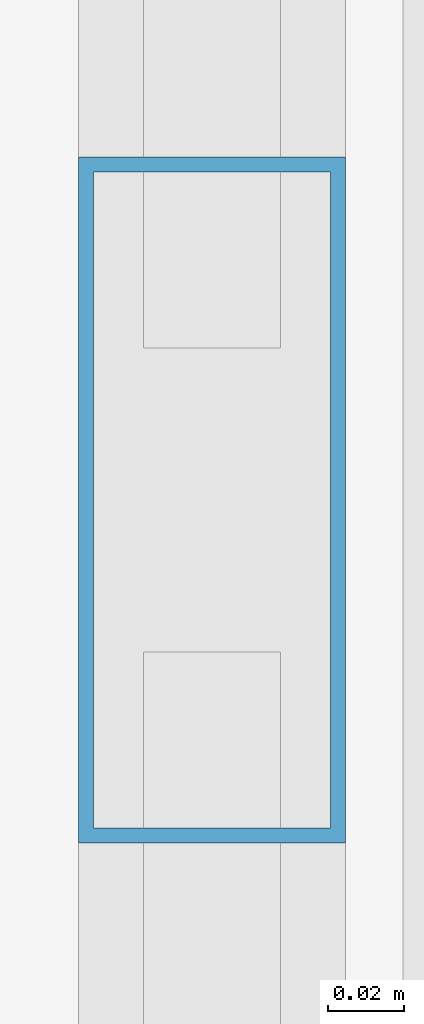
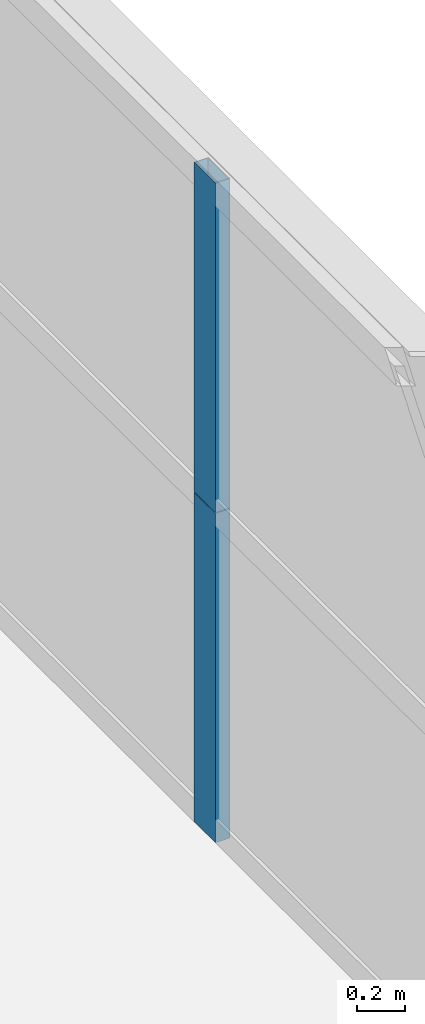
# One storey, part 20 of 45: 2 members, 1 element without a shape of its own.
"""IFC4 building model written with IfcOpenShell, lengths in metres."""

from ifc_helpers import new_model, si_unit, direction, frame, origin, origin_2d, place, context, subcontext, project, spatial, hollow_rectangle, extrude, source, transform, mapped, material, layer, layer_set, material_profile, profile_set, type_object, element, aggregate, save


model = new_model("IFC4")

# Units and contexts
model_context = context("Model", 3, precision=1e-05, world=origin(), true_north=direction((0.0, 1.0)))
body_context = subcontext(model_context, "Body", "Model", "MODEL_VIEW")
ifc_project = project(units=[si_unit("LENGTHUNIT", "METRE"), si_unit("AREAUNIT", "SQUARE_METRE"), si_unit("VOLUMEUNIT", "CUBIC_METRE"), si_unit("PLANEANGLEUNIT", "RADIAN"), si_unit("MASSUNIT", "GRAM", prefix="KILO"), si_unit("THERMODYNAMICTEMPERATUREUNIT", "KELVIN"), si_unit("POWERUNIT", "WATT")], contexts=[model_context])

# Site, building, storey
site_placement = place(None, origin())
site = spatial("IfcSite", under=ifc_project, at=site_placement, CompositionType="ELEMENT")
building_placement = place(site_placement, origin())
building = spatial("IfcBuilding", under=site, at=building_placement, Name="Yuzanri Waterfront Tower", CompositionType="ELEMENT")
storey_placement = place(building_placement, frame((0.0, 0.0, 34.199951171875)))
storey = spatial("IfcBuildingStorey", under=building, at=storey_placement, Name="L08", CompositionType="ELEMENT", Elevation=34.199951171875)

# Curtain wall, members
ifc_material_1 = material(Name="Anodized Architectural Bronze", Category="metal")
ifc_layer = layer(ifc_material_1, 0.159912109375)
ifc_layer_set = layer_set([ifc_layer], Name="Anodized Architectural Bronze")
curtain_wall_type = type_object("IfcCurtainWallType", Name="Anodized Bronze Hotel Lower-Tier Recessed Unitized Curtain Wall 8100", PredefinedType="NOTDEFINED", material=ifc_layer_set)
curtain_wall_placement = place(storey_placement, origin())
curtain_wall = element("IfcCurtainWall", 1, at=curtain_wall_placement, inside=storey, type_object=curtain_wall_type, Name="L08 Curtain Wall CW-L08-EL", PredefinedType="NOTDEFINED")
ifc_material_2 = material(Name="Anodized Architectural Bronze", Category="metal")
ifc_material_profile = material_profile(ifc_material_2, hollow_rectangle(XDim=0.070068359375, YDim=0.179931640625, WallThickness=0.00390625, at=origin_2d()), Name="CWM 70x180")
ifc_profile_set = profile_set([ifc_material_profile], Name="Anodized Architectural Bronze")
member_type = type_object("IfcMemberType", Name="Anodized Bronze Standard Curtain-Wall Mullion 70x180", PredefinedType="MULLION", material=ifc_profile_set)
shared_shape = source(origin(), body_context, "Body", "SweptSolid", [
    extrude(hollow_rectangle(XDim=0.070068359375, YDim=0.179931640625, WallThickness=0.00390625, at=origin_2d()), origin(), (0.0, 0.0, 1.0), 1.68798828125),
])
member_1_placement = place(storey_placement, frame((61.949951171875, 16.699951171875, 0.0), z_axis=(0.0, 0.0, 1.0), x_axis=(1.0, 0.0, 0.0)))
member_1 = element("IfcMember", 2, at=member_1_placement, type_object=member_type, Name="CW-L08-EL Lower Mullion 01", PredefinedType="MULLION", context=body_context, shape_type="MappedRepresentation", body=[
    mapped(shared_shape, transform((0.0, 0.0, 0.0), scale=1.0)),
])
member_2_placement = place(storey_placement, frame((61.949951171875, 16.699951171875, 1.692138671875), z_axis=(0.0, 0.0, 1.0), x_axis=(1.0, 0.0, 0.0)))
member_2 = element("IfcMember", 3, at=member_2_placement, type_object=member_type, Name="CW-L08-EL Upper Mullion 01", PredefinedType="MULLION", context=body_context, shape_type="MappedRepresentation", body=[
    mapped(shared_shape, transform((0.0, 0.0, 0.0), scale=1.0)),
])
aggregate(curtain_wall, [member_1, member_2])

save(model, "model.ifc")
